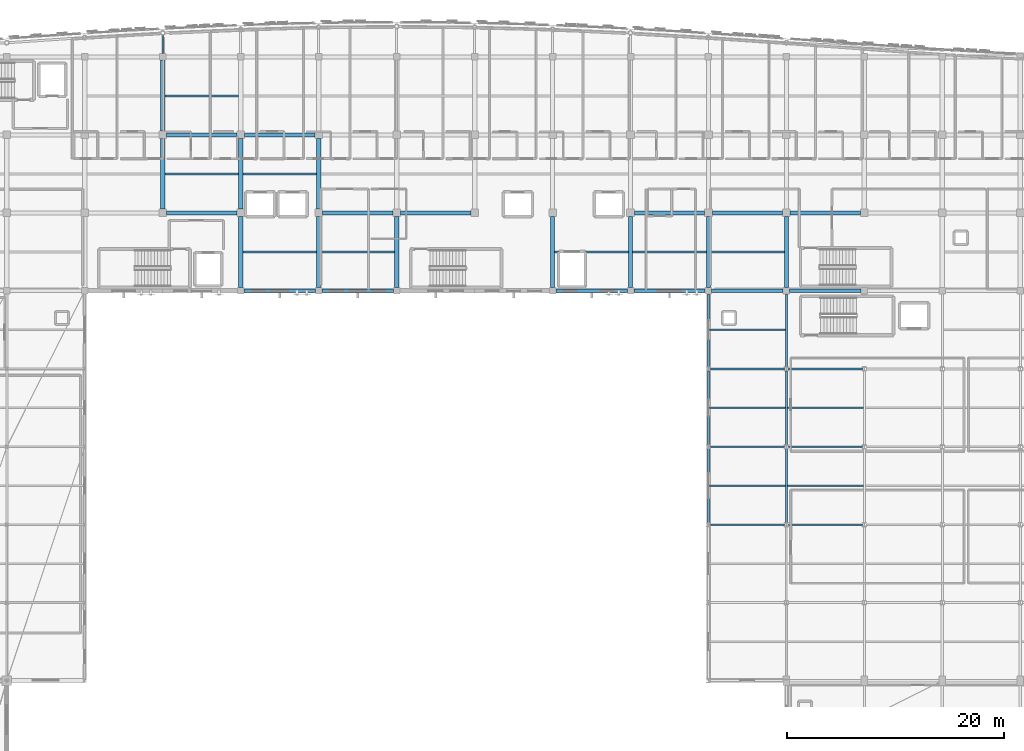
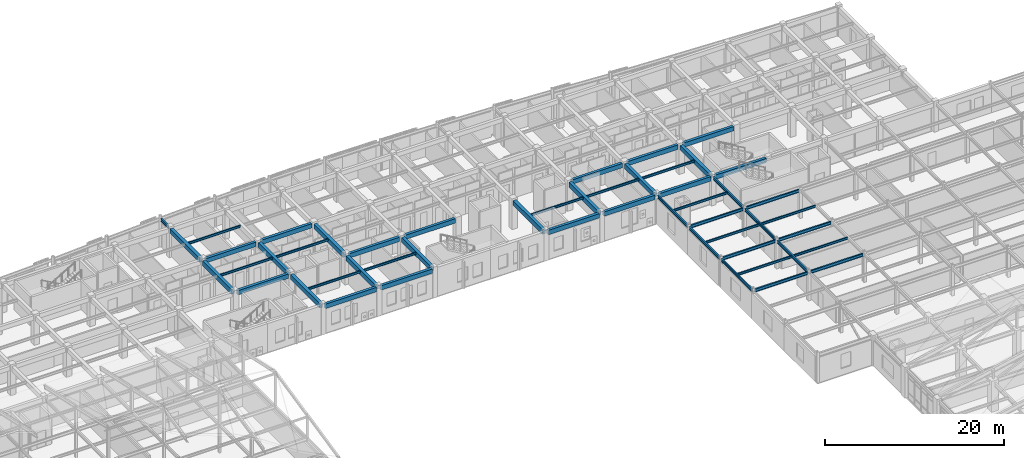
# One storey, part 43 of 113: 51 beams.
"""IFC4 building model written with IfcOpenShell, lengths in metres."""

from ifc_helpers import new_model, si_unit, direction, frame, origin, origin_2d, place, context, subcontext, project, spatial, rectangle, i_section, extrude, material, material_profile, profile_set, type_object, element, save


model = new_model("IFC4")

# Units and contexts
model_context = context("Model", 3, precision=1e-05, world=origin(), true_north=direction((0.0, 1.0)))
body_context = subcontext(model_context, "Body", "Model", "MODEL_VIEW")
ifc_project = project(units=[si_unit("LENGTHUNIT", "METRE"), si_unit("AREAUNIT", "SQUARE_METRE"), si_unit("VOLUMEUNIT", "CUBIC_METRE"), si_unit("PLANEANGLEUNIT", "RADIAN"), si_unit("MASSUNIT", "GRAM", prefix="KILO")], contexts=[model_context])

# Site, building, storey
site_placement = place(None, origin())
site = spatial("IfcSite", under=ifc_project, at=site_placement, CompositionType="ELEMENT")
building_placement = place(site_placement, origin())
building = spatial("IfcBuilding", under=site, at=building_placement, Name="Carrowvane Square Congress Hotel", CompositionType="ELEMENT")
storey_placement = place(building_placement, frame((0.0, 0.0, 15.0)))
storey = spatial("IfcBuildingStorey", under=building, at=storey_placement, Name="L03", CompositionType="ELEMENT", Elevation=15.0)

# Beams
ifc_material_1 = material(Name="Concrete C35/45", Category="concrete")
ifc_material_profile_1 = material_profile(ifc_material_1, rectangle(XDim=0.35009765625, YDim=0.60009765625, at=origin_2d()), Name="RC 350x600")
ifc_profile_set_1 = profile_set([ifc_material_profile_1], Name="Concrete C35/45")
beam_type_1 = type_object("IfcBeamType", Name="BM-RC-350x600", PredefinedType="BEAM", material=ifc_profile_set_1)
beam_1_placement = place(storey_placement, frame((83.89990234375, 91.800048828125, 3.639892578125), z_axis=(1.0, 0.0, 0.0), x_axis=(0.0, 1.0, 0.0)))
element("IfcBeam", 1, at=beam_1_placement, inside=storey, type_object=beam_type_1, Name="L04 girder N/11-12", PredefinedType="BEAM", context=body_context, shape_type="SweptSolid", body=[
    extrude(rectangle(XDim=0.35009765625, YDim=0.60009765625, at=origin_2d()), origin(), (0.0, 0.0, 1.0), 6.60009765625),
])
beam_2_placement = place(storey_placement, frame((91.10009765625, 91.800048828125, 3.639892578125), z_axis=(1.0, 0.0, 0.0), x_axis=(0.0, 1.0, 0.0)))
element("IfcBeam", 2, at=beam_2_placement, inside=storey, type_object=beam_type_1, Name="L04 girder N/12-13", PredefinedType="BEAM", context=body_context, shape_type="SweptSolid", body=[
    extrude(rectangle(XDim=0.35009765625, YDim=0.60009765625, at=origin_2d()), origin(), (0.0, 0.0, 1.0), 6.599853515625),
])
for number, where, z_axis, x_axis, name in (
    (3, (112.699951171875, 91.800048828125, 3.639892578125), (1.0, 0.0, 0.0), (0.0, 1.0, 0.0), "L04 girder N/15-16"),
    (4, (119.89990234375, 91.800048828125, 3.639892578125), (1.0, 0.0, 0.0), (0.0, 1.0, 0.0), "L04 girder N/16-17"),
):
    element("IfcBeam", number, at=place(storey_placement, frame(where, z_axis=z_axis, x_axis=x_axis)), inside=storey, type_object=beam_type_1, Name=name, PredefinedType="BEAM", context=body_context, shape_type="SweptSolid", body=[
        extrude(rectangle(XDim=0.35009765625, YDim=0.60009765625, at=origin_2d()), origin(), (0.0, 0.0, 1.0), 6.60009765625),
    ])
for number, where, z_axis, x_axis, name in (
    (5, (127.10009765625, 91.800048828125, 3.639892578125), (1.0, 0.0, 0.0), (0.0, 1.0, 0.0), "L04 girder N/17-18"),
    (6, (134.300048828125, 91.800048828125, 3.639892578125), (1.0, 0.0, 0.0), (0.0, 1.0, 0.0), "L04 girder N/18-19"),
):
    element("IfcBeam", number, at=place(storey_placement, frame(where, z_axis=z_axis, x_axis=x_axis)), inside=storey, type_object=beam_type_1, Name=name, PredefinedType="BEAM", context=body_context, shape_type="SweptSolid", body=[
        extrude(rectangle(XDim=0.35009765625, YDim=0.60009765625, at=origin_2d()), origin(), (0.0, 0.0, 1.0), 6.599853515625),
    ])
for number, where, z_axis, x_axis, name in (
    (7, (76.75, 99.0, 3.639892578125), (1.0, 0.0, 0.0), (0.0, 1.0, 0.0), "L04 girder P/10-11"),
    (8, (91.14990234375, 99.0, 3.639892578125), (1.0, 0.0, 0.0), (0.0, 1.0, 0.0), "L04 girder P/12-13"),
    (9, (98.35009765625, 99.0, 3.639892578125), (1.0, 0.0, 0.0), (0.0, 1.0, 0.0), "L04 girder P/13-14"),
    (10, (119.949951171875, 99.0, 3.639892578125), (1.0, 0.0, 0.0), (0.0, 1.0, 0.0), "L04 girder P/16-17"),
    (11, (127.14990234375, 99.0, 3.639892578125), (1.0, 0.0, 0.0), (0.0, 1.0, 0.0), "L04 girder P/17-18"),
    (12, (134.35009765625, 99.0, 3.639892578125), (1.0, 0.0, 0.0), (0.0, 1.0, 0.0), "L04 girder P/18-19"),
    (13, (76.75, 106.199951171875, 3.639892578125), (1.0, 0.0, 0.0), (0.0, 1.0, 0.0), "L04 girder Q/10-11"),
    (14, (83.949951171875, 106.199951171875, 3.639892578125), (1.0, 0.0, 0.0), (0.0, 1.0, 0.0), "L04 girder Q/11-12"),
):
    element("IfcBeam", number, at=place(storey_placement, frame(where, z_axis=z_axis, x_axis=x_axis)), inside=storey, type_object=beam_type_1, Name=name, PredefinedType="BEAM", context=body_context, shape_type="SweptSolid", body=[
        extrude(rectangle(XDim=0.35009765625, YDim=0.60009765625, at=origin_2d()), origin(), (0.0, 0.0, 1.0), 6.5),
    ])
ifc_material_2 = material(Name="Concrete C35/45", Category="concrete")
ifc_material_profile_2 = material_profile(ifc_material_2, rectangle(XDim=0.39990234375, YDim=0.64990234375, at=origin_2d()), Name="RC 400x650")
ifc_profile_set_2 = profile_set([ifc_material_profile_2], Name="Concrete C35/45")
beam_type_2 = type_object("IfcBeamType", Name="BM-RC-400x650", PredefinedType="BEAM", material=ifc_profile_set_2)
beam_3_placement = place(storey_placement, frame((76.39990234375, 99.35009765625, 3.614990234375), z_axis=(0.0, 1.0, 0.0), x_axis=(-1.0, 0.0, 0.0)))
element("IfcBeam", 15, at=beam_3_placement, inside=storey, type_object=beam_type_2, Name="L04 girder 10/P-Q", PredefinedType="BEAM", context=body_context, shape_type="SweptSolid", body=[
    extrude(rectangle(XDim=0.39990234375, YDim=0.64990234375, at=origin_2d()), origin(), (0.0, 0.0, 1.0), 6.5),
])
beam_4_placement = place(storey_placement, frame((76.39990234375, 106.550048828125, 3.614990234375), z_axis=(0.0, 1.0, 0.0), x_axis=(-1.0, 0.0, 0.0)))
element("IfcBeam", 16, at=beam_4_placement, inside=storey, type_object=beam_type_2, Name="L04 girder 10/Q-R", PredefinedType="BEAM", context=body_context, shape_type="SweptSolid", body=[
    extrude(rectangle(XDim=0.39990234375, YDim=0.64990234375, at=origin_2d()), origin(), (0.0, 0.0, 1.0), 6.550048828125),
])
beam_5_placement = place(storey_placement, frame((83.60009765625, 92.10009765625, 3.614990234375), z_axis=(0.0, 1.0, 0.0), x_axis=(-1.0, 0.0, 0.0)))
element("IfcBeam", 17, at=beam_5_placement, inside=storey, type_object=beam_type_2, Name="L04 girder 11/N-P", PredefinedType="BEAM", context=body_context, shape_type="SweptSolid", body=[
    extrude(rectangle(XDim=0.39990234375, YDim=0.64990234375, at=origin_2d()), origin(), (0.0, 0.0, 1.0), 6.5498046875),
])
beam_6_placement = place(storey_placement, frame((83.60009765625, 99.35009765625, 3.614990234375), z_axis=(0.0, 1.0, 0.0), x_axis=(-1.0, 0.0, 0.0)))
element("IfcBeam", 18, at=beam_6_placement, inside=storey, type_object=beam_type_2, Name="L04 girder 11/P-Q", PredefinedType="BEAM", context=body_context, shape_type="SweptSolid", body=[
    extrude(rectangle(XDim=0.39990234375, YDim=0.64990234375, at=origin_2d()), origin(), (0.0, 0.0, 1.0), 6.5),
])
beam_7_placement = place(storey_placement, frame((90.800048828125, 92.10009765625, 3.614990234375), z_axis=(0.0, 1.0, 0.0), x_axis=(-1.0, 0.0, 0.0)))
element("IfcBeam", 19, at=beam_7_placement, inside=storey, type_object=beam_type_2, Name="L04 girder 12/N-P", PredefinedType="BEAM", context=body_context, shape_type="SweptSolid", body=[
    extrude(rectangle(XDim=0.39990234375, YDim=0.64990234375, at=origin_2d()), origin(), (0.0, 0.0, 1.0), 6.5498046875),
])
beam_8_placement = place(storey_placement, frame((90.800048828125, 99.35009765625, 3.614990234375), z_axis=(0.0, 1.0, 0.0), x_axis=(-1.0, 0.0, 0.0)))
element("IfcBeam", 20, at=beam_8_placement, inside=storey, type_object=beam_type_2, Name="L04 girder 12/P-Q", PredefinedType="BEAM", context=body_context, shape_type="SweptSolid", body=[
    extrude(rectangle(XDim=0.39990234375, YDim=0.64990234375, at=origin_2d()), origin(), (0.0, 0.0, 1.0), 6.5),
])
for number, where, z_axis, x_axis, name in (
    (21, (98.0, 92.10009765625, 3.614990234375), (0.0, 1.0, 0.0), (-1.0, 0.0, 0.0), "L04 girder 13/N-P"),
    (22, (112.39990234375, 92.10009765625, 3.614990234375), (0.0, 1.0, 0.0), (-1.0, 0.0, 0.0), "L04 girder 15/N-P"),
    (23, (119.60009765625, 92.10009765625, 3.614990234375), (0.0, 1.0, 0.0), (-1.0, 0.0, 0.0), "L04 girder 16/N-P"),
    (24, (126.800048828125, 92.10009765625, 3.614990234375), (0.0, 1.0, 0.0), (-1.0, 0.0, 0.0), "L04 girder 17/N-P"),
    (25, (134.0, 92.10009765625, 3.614990234375), (0.0, 1.0, 0.0), (-1.0, 0.0, 0.0), "L04 girder 18/N-P"),
):
    element("IfcBeam", number, at=place(storey_placement, frame(where, z_axis=z_axis, x_axis=x_axis)), inside=storey, type_object=beam_type_2, Name=name, PredefinedType="BEAM", context=body_context, shape_type="SweptSolid", body=[
        extrude(rectangle(XDim=0.39990234375, YDim=0.64990234375, at=origin_2d()), origin(), (0.0, 0.0, 1.0), 6.5498046875),
    ])
ifc_material_3 = material(Name="Steel S355", Category="steel")
ifc_material_profile_3 = material_profile(ifc_material_3, i_section(OverallWidth=0.165771484375, OverallDepth=0.306640625, WebThickness=0.006591796875, FlangeThickness=0.01171875, FilletRadius=0.0087890625, at=origin_2d()), Name="UKB 305x165x46")
ifc_profile_set_3 = profile_set([ifc_material_profile_3], Name="Steel S355")
beam_type_3 = type_object("IfcBeamType", Name="BM-ST-UKB305", PredefinedType="JOIST", material=ifc_profile_set_3)
for number, where, z_axis, x_axis, name in (
    (26, (76.60009765625, 102.60009765625, 3.78662109375), (1.0, 0.0, 0.0), (0.0, 1.0, 0.0), "L04 secondary joist 10-11"),
    (27, (76.60009765625, 109.800048828125, 3.78662109375), (1.0, 0.0, 0.0), (0.0, 1.0, 0.0), "L04 secondary joist 10-11"),
):
    element("IfcBeam", number, at=place(storey_placement, frame(where, z_axis=z_axis, x_axis=x_axis)), inside=storey, type_object=beam_type_3, Name=name, PredefinedType="JOIST", context=body_context, shape_type="SweptSolid", body=[
        extrude(i_section(OverallWidth=0.165771484375, OverallDepth=0.306640625, WebThickness=0.006591796875, FlangeThickness=0.01171875, FilletRadius=0.0087890625, at=origin_2d()), origin(), (0.0, 0.0, 1.0), 6.7998046875),
    ])
for number, where, z_axis, x_axis, name in (
    (28, (83.800048828125, 95.39990234375, 3.78662109375), (1.0, 0.0, 0.0), (0.0, 1.0, 0.0), "L04 secondary joist 11-12"),
    (29, (83.800048828125, 102.60009765625, 3.78662109375), (1.0, 0.0, 0.0), (0.0, 1.0, 0.0), "L04 secondary joist 11-12"),
    (30, (91.0, 95.39990234375, 3.78662109375), (1.0, 0.0, 0.0), (0.0, 1.0, 0.0), "L04 secondary joist 12-13"),
):
    element("IfcBeam", number, at=place(storey_placement, frame(where, z_axis=z_axis, x_axis=x_axis)), inside=storey, type_object=beam_type_3, Name=name, PredefinedType="JOIST", context=body_context, shape_type="SweptSolid", body=[
        extrude(i_section(OverallWidth=0.165771484375, OverallDepth=0.306640625, WebThickness=0.006591796875, FlangeThickness=0.01171875, FilletRadius=0.0087890625, at=origin_2d()), origin(), (0.0, 0.0, 1.0), 6.800048828125),
    ])
beam_9_placement = place(storey_placement, frame((112.60009765625, 95.39990234375, 3.78662109375), z_axis=(1.0, 0.0, 0.0), x_axis=(0.0, 1.0, 0.0)))
element("IfcBeam", 31, at=beam_9_placement, inside=storey, type_object=beam_type_3, Name="L04 secondary joist 15-16", PredefinedType="JOIST", context=body_context, shape_type="SweptSolid", body=[
    extrude(i_section(OverallWidth=0.165771484375, OverallDepth=0.306640625, WebThickness=0.006591796875, FlangeThickness=0.01171875, FilletRadius=0.0087890625, at=origin_2d()), origin(), (0.0, 0.0, 1.0), 6.7998046875),
])
beam_10_placement = place(storey_placement, frame((119.800048828125, 95.39990234375, 3.78662109375), z_axis=(1.0, 0.0, 0.0), x_axis=(0.0, 1.0, 0.0)))
element("IfcBeam", 32, at=beam_10_placement, inside=storey, type_object=beam_type_3, Name="L04 secondary joist 16-17", PredefinedType="JOIST", context=body_context, shape_type="SweptSolid", body=[
    extrude(i_section(OverallWidth=0.165771484375, OverallDepth=0.306640625, WebThickness=0.006591796875, FlangeThickness=0.01171875, FilletRadius=0.0087890625, at=origin_2d()), origin(), (0.0, 0.0, 1.0), 6.800048828125),
])
for number, where, z_axis, x_axis, name in (
    (33, (126.889404296875, 73.800048828125, 3.78662109375), (1.0, 0.0, 0.0), (0.0, 1.0, 0.0), "L04 secondary joist 17-18"),
    (34, (126.889404296875, 81.0, 3.78662109375), (1.0, 0.0, 0.0), (0.0, 1.0, 0.0), "L04 secondary joist 17-18"),
    (35, (126.889404296875, 88.199951171875, 3.78662109375), (1.0, 0.0, 0.0), (0.0, 1.0, 0.0), "L04 secondary joist 17-18"),
):
    element("IfcBeam", number, at=place(storey_placement, frame(where, z_axis=z_axis, x_axis=x_axis)), inside=storey, type_object=beam_type_3, Name=name, PredefinedType="JOIST", context=body_context, shape_type="SweptSolid", body=[
        extrude(i_section(OverallWidth=0.165771484375, OverallDepth=0.306640625, WebThickness=0.006591796875, FlangeThickness=0.01171875, FilletRadius=0.0087890625, at=origin_2d()), origin(), (0.0, 0.0, 1.0), 7.021240234375),
    ])
beam_11_placement = place(storey_placement, frame((127.0, 95.39990234375, 3.78662109375), z_axis=(1.0, 0.0, 0.0), x_axis=(0.0, 1.0, 0.0)))
element("IfcBeam", 36, at=beam_11_placement, inside=storey, type_object=beam_type_3, Name="L04 secondary joist 17-18", PredefinedType="JOIST", context=body_context, shape_type="SweptSolid", body=[
    extrude(i_section(OverallWidth=0.165771484375, OverallDepth=0.306640625, WebThickness=0.006591796875, FlangeThickness=0.01171875, FilletRadius=0.0087890625, at=origin_2d()), origin(), (0.0, 0.0, 1.0), 6.800048828125),
])
for number, where, z_axis, x_axis, name in (
    (37, (134.08935546875, 73.800048828125, 3.78662109375), (1.0, 0.0, 0.0), (0.0, 1.0, 0.0), "L04 secondary joist 18-19"),
    (38, (134.08935546875, 81.0, 3.78662109375), (1.0, 0.0, 0.0), (0.0, 1.0, 0.0), "L04 secondary joist 18-19"),
):
    element("IfcBeam", number, at=place(storey_placement, frame(where, z_axis=z_axis, x_axis=x_axis)), inside=storey, type_object=beam_type_3, Name=name, PredefinedType="JOIST", context=body_context, shape_type="SweptSolid", body=[
        extrude(i_section(OverallWidth=0.165771484375, OverallDepth=0.306640625, WebThickness=0.006591796875, FlangeThickness=0.01171875, FilletRadius=0.0087890625, at=origin_2d()), origin(), (0.0, 0.0, 1.0), 7.021240234375),
    ])
ifc_material_4 = material(Name="Steel S355", Category="steel")
ifc_material_profile_4 = material_profile(ifc_material_4, i_section(OverallWidth=0.1787109375, OverallDepth=0.409423828125, WebThickness=0.0087890625, FlangeThickness=0.014404296875, FilletRadius=0.01025390625, at=origin_2d()), Name="UKB 406x178x67")
ifc_profile_set_4 = profile_set([ifc_material_profile_4], Name="Steel S355")
beam_type_4 = type_object("IfcBeamType", Name="BM-ST-UKB406", PredefinedType="BEAM", material=ifc_profile_set_4)
for number, where, z_axis, x_axis, name in (
    (39, (126.9853515625, 70.199951171875, 3.7353515625), (1.0, 0.0, 0.0), (0.0, 1.0, 0.0), "L04 girder K/17-18"),
    (40, (134.185302734375, 70.199951171875, 3.7353515625), (1.0, 0.0, 0.0), (0.0, 1.0, 0.0), "L04 girder K/18-19"),
    (41, (126.9853515625, 77.39990234375, 3.7353515625), (1.0, 0.0, 0.0), (0.0, 1.0, 0.0), "L04 girder L/17-18"),
    (42, (134.185302734375, 77.39990234375, 3.7353515625), (1.0, 0.0, 0.0), (0.0, 1.0, 0.0), "L04 girder L/18-19"),
    (43, (126.9853515625, 84.60009765625, 3.7353515625), (1.0, 0.0, 0.0), (0.0, 1.0, 0.0), "L04 girder M/17-18"),
    (44, (134.185302734375, 84.60009765625, 3.7353515625), (1.0, 0.0, 0.0), (0.0, 1.0, 0.0), "L04 girder M/18-19"),
):
    element("IfcBeam", number, at=place(storey_placement, frame(where, z_axis=z_axis, x_axis=x_axis)), inside=storey, type_object=beam_type_4, Name=name, PredefinedType="BEAM", context=body_context, shape_type="SweptSolid", body=[
        extrude(i_section(OverallWidth=0.1787109375, OverallDepth=0.409423828125, WebThickness=0.0087890625, FlangeThickness=0.014404296875, FilletRadius=0.01025390625, at=origin_2d()), origin(), (0.0, 0.0, 1.0), 6.829345703125),
    ])
for number, where, z_axis, x_axis, name in (
    (45, (126.800048828125, 70.381103515625, 3.7353515625), (0.0, 1.0, 0.0), (-1.0, 0.0, 0.0), "L04 girder 17/K-L"),
    (46, (126.800048828125, 77.5810546875, 3.7353515625), (0.0, 1.0, 0.0), (-1.0, 0.0, 0.0), "L04 girder 17/L-M"),
):
    element("IfcBeam", number, at=place(storey_placement, frame(where, z_axis=z_axis, x_axis=x_axis)), inside=storey, type_object=beam_type_4, Name=name, PredefinedType="BEAM", context=body_context, shape_type="SweptSolid", body=[
        extrude(i_section(OverallWidth=0.1787109375, OverallDepth=0.409423828125, WebThickness=0.0087890625, FlangeThickness=0.014404296875, FilletRadius=0.01025390625, at=origin_2d()), origin(), (0.0, 0.0, 1.0), 6.837890625),
    ])
beam_12_placement = place(storey_placement, frame((126.800048828125, 84.781005859375, 3.7353515625), z_axis=(0.0, 1.0, 0.0), x_axis=(-1.0, 0.0, 0.0)))
element("IfcBeam", 47, at=beam_12_placement, inside=storey, type_object=beam_type_4, Name="L04 girder 17/M-N", PredefinedType="BEAM", context=body_context, shape_type="SweptSolid", body=[
    extrude(i_section(OverallWidth=0.1787109375, OverallDepth=0.409423828125, WebThickness=0.0087890625, FlangeThickness=0.014404296875, FilletRadius=0.01025390625, at=origin_2d()), origin(), (0.0, 0.0, 1.0), 6.718994140625),
])
for number, where, z_axis, x_axis, name in (
    (48, (134.0, 70.381103515625, 3.7353515625), (0.0, 1.0, 0.0), (-1.0, 0.0, 0.0), "L04 girder 18/K-L"),
    (49, (134.0, 77.5810546875, 3.7353515625), (0.0, 1.0, 0.0), (-1.0, 0.0, 0.0), "L04 girder 18/L-M"),
):
    element("IfcBeam", number, at=place(storey_placement, frame(where, z_axis=z_axis, x_axis=x_axis)), inside=storey, type_object=beam_type_4, Name=name, PredefinedType="BEAM", context=body_context, shape_type="SweptSolid", body=[
        extrude(i_section(OverallWidth=0.1787109375, OverallDepth=0.409423828125, WebThickness=0.0087890625, FlangeThickness=0.014404296875, FilletRadius=0.01025390625, at=origin_2d()), origin(), (0.0, 0.0, 1.0), 6.837890625),
    ])
beam_13_placement = place(storey_placement, frame((134.0, 84.781005859375, 3.7353515625), z_axis=(0.0, 1.0, 0.0), x_axis=(-1.0, 0.0, 0.0)))
element("IfcBeam", 50, at=beam_13_placement, inside=storey, type_object=beam_type_4, Name="L04 girder 18/M-N", PredefinedType="BEAM", context=body_context, shape_type="SweptSolid", body=[
    extrude(i_section(OverallWidth=0.1787109375, OverallDepth=0.409423828125, WebThickness=0.0087890625, FlangeThickness=0.014404296875, FilletRadius=0.01025390625, at=origin_2d()), origin(), (0.0, 0.0, 1.0), 6.718994140625),
])
beam_14_placement = place(storey_placement, frame((76.39990234375, 113.699951171875, 3.7353515625), z_axis=(0.0, 1.0, 0.0), x_axis=(-1.0, 0.0, 0.0)))
element("IfcBeam", 51, at=beam_14_placement, inside=storey, type_object=beam_type_4, Name="L04 radial north beam 10", PredefinedType="BEAM", context=body_context, shape_type="SweptSolid", body=[
    extrude(i_section(OverallWidth=0.1787109375, OverallDepth=0.409423828125, WebThickness=0.0087890625, FlangeThickness=0.014404296875, FilletRadius=0.01025390625, at=origin_2d()), origin(), (0.0, 0.0, 1.0), 1.71435546875),
])

save(model, "model.ifc")
